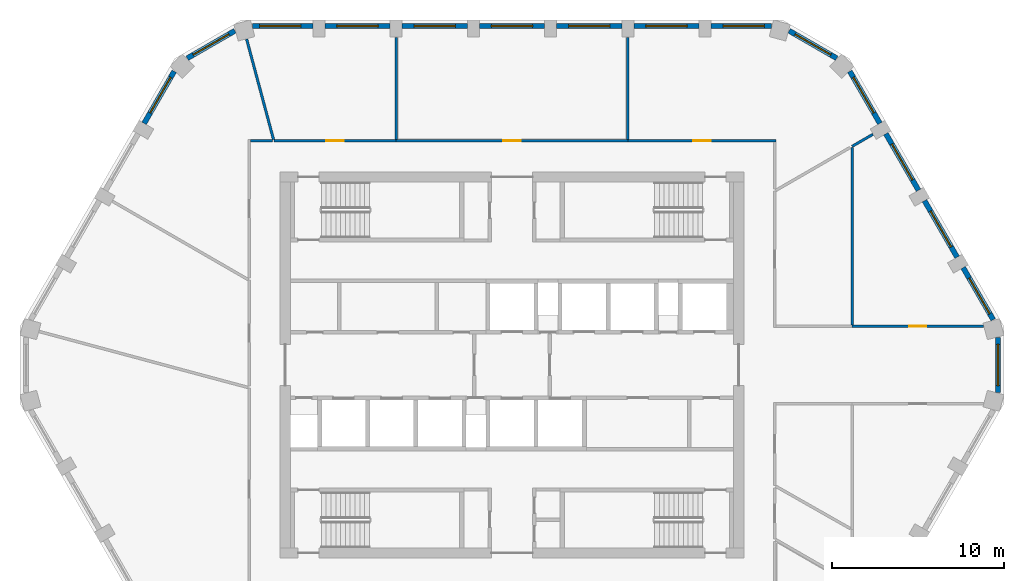
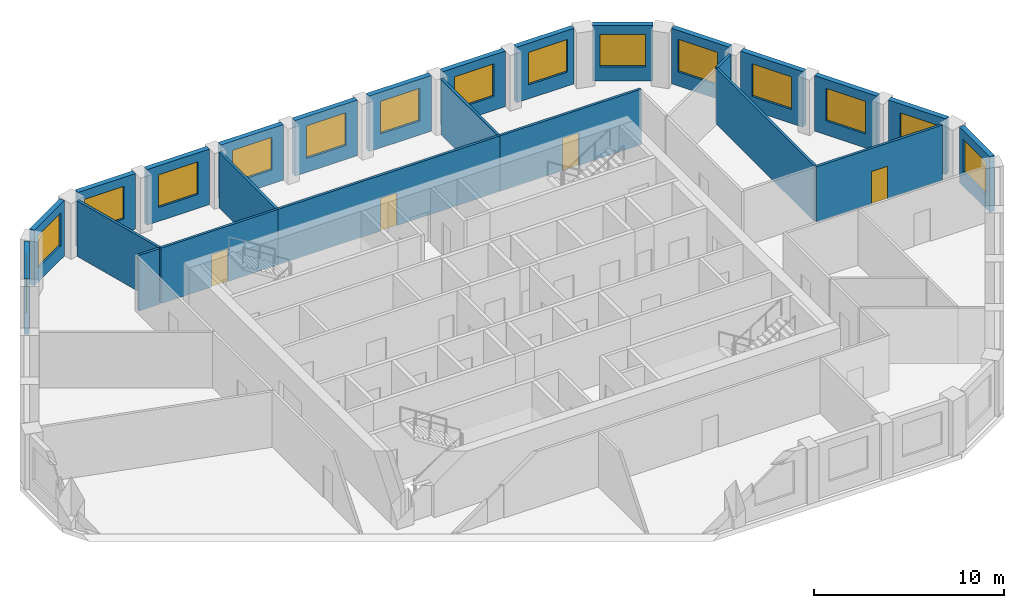
# One storey, part 6 of 10: 25 walls, 15 windows, 4 doors, 19 openings.
"""IFC4 building model written with IfcOpenShell, lengths in metres."""

from ifc_helpers import new_model, si_unit, direction, frame, frame_2d, origin, place, context, subcontext, project, spatial, rectangle, extrude, material, layer, layer_set, type_object, element, fill, save


model = new_model("IFC4")

# Units and contexts
model_context = context("Model", 3, precision=1e-05, world=origin(), true_north=direction((0.0, 1.0)))
body_context = subcontext(model_context, "Body", "Model", "MODEL_VIEW")
ifc_project = project(units=[si_unit("LENGTHUNIT", "METRE"), si_unit("AREAUNIT", "SQUARE_METRE"), si_unit("VOLUMEUNIT", "CUBIC_METRE"), si_unit("PLANEANGLEUNIT", "RADIAN"), si_unit("MASSUNIT", "GRAM", prefix="KILO")], contexts=[model_context])

# Site, building, storey
site_placement = place(None, origin())
site = spatial("IfcSite", under=ifc_project, at=site_placement, CompositionType="ELEMENT")
building_placement = place(site_placement, origin())
building = spatial("IfcBuilding", under=site, at=building_placement, Name="Dhurran Vertical Campus", CompositionType="ELEMENT")
storey_placement = place(building_placement, frame((0.0, 0.0, 250.800048828125)))
storey = spatial("IfcBuildingStorey", under=building, at=storey_placement, Name="L62", CompositionType="ELEMENT", Elevation=250.800048828125)

# Wall, opening, window
ifc_material_1 = material(Name="Precast concrete C50/60", Category="concrete")
ifc_layer_1 = layer(ifc_material_1, 0.300048828125)
ifc_layer_set_1 = layer_set([ifc_layer_1], Name="Precast concrete C50/60")
wall_type_1 = type_object("IfcWallType", Name="Precast spandrel wall 300", PredefinedType="SOLIDWALL", material=ifc_layer_set_1)
wall_1_placement = place(storey_placement, frame((28.297119140625, -1.59814453125, 0.0), z_axis=(0.0, 0.0, 1.0), x_axis=(0.0, 1.0, 0.0)))
wall_1 = element("IfcWall", 1, at=wall_1_placement, inside=storey, type_object=wall_type_1, Name="EW1 L62.12", PredefinedType="SOLIDWALL", context=body_context, shape_type="SweptSolid", body=[
    extrude(rectangle(XDim=3.1962890625, YDim=0.300048828125, at=frame_2d((1.59814453125, 0.0))), origin(), (0.0, 0.0, 1.0), 3.574951171875),
])
opening_1_placement = place(wall_1_placement, frame((0.398193359375, 0.0, 0.89990234375)))
opening_1 = element("IfcOpeningElement", 2, at=opening_1_placement, cuts=wall_1, Name="Opening WT1", PredefinedType="OPENING", context=body_context, shape_type="SweptSolid", body=[
    extrude(rectangle(XDim=2.39990234375, YDim=2.10009765625, at=frame_2d((1.199951171875, 1.050048828125))), frame((0.0, 0.159912109375, 0.0), z_axis=(0.0, -1.0, 0.0), x_axis=(1.0, 0.0, 0.0)), (0.0, 0.0, 1.0), 0.320068359375),
])
ifc_material_2 = material(Name="Aluminium frame with solar-control glass", Category="aluminium")
window_type = type_object("IfcWindowType", Name="Punched window 2400 x 2100", PartitioningType="SINGLE_PANEL", PredefinedType="WINDOW", material=ifc_material_2)
window_1_placement = place(opening_1_placement, origin())
window_1 = element("IfcWindow", 3, at=window_1_placement, inside=storey, type_object=window_type, Name="WT1 L62.12", OverallHeight=2.10009765625, OverallWidth=2.39990234375, PartitioningType="SINGLE_PANEL", PredefinedType="WINDOW", context=body_context, shape_type="SweptSolid", body=[
    extrude(rectangle(XDim=2.39990234375, YDim=2.10009765625, at=frame_2d((1.199951171875, 1.050048828125))), frame((0.0, 0.030029296875, 0.0), z_axis=(0.0, -1.0, 0.0), x_axis=(1.0, 0.0, 0.0)), (0.0, 0.0, 1.0), 0.06005859375),
])
fill(opening_1, window_1)

wall_2_placement = place(storey_placement, frame((28.01806640625, 2.6396484375, 0.0), z_axis=(0.0, 0.0, 1.0), x_axis=(-0.499990325971, 0.866030989016, 0.0)))
wall_2 = element("IfcWall", 4, at=wall_2_placement, inside=storey, type_object=wall_type_1, Name="EW1 L62.13", PredefinedType="SOLIDWALL", context=body_context, shape_type="SweptSolid", body=[
    extrude(rectangle(XDim=3.49755859375, YDim=0.300048828125, at=frame_2d((1.748779296875, 0.0))), origin(), (0.0, 0.0, 1.0), 3.574951171875),
])
opening_2_placement = place(wall_2_placement, frame((0.398193359375, 0.0, 0.89990234375)))
opening_2 = element("IfcOpeningElement", 5, at=opening_2_placement, cuts=wall_2, Name="Opening WT1", PredefinedType="OPENING", context=body_context, shape_type="SweptSolid", body=[
    extrude(rectangle(XDim=2.39990234375, YDim=2.10009765625, at=frame_2d((1.199951171875, 1.050048828125))), frame((0.0, 0.159912109375, 0.0), z_axis=(0.0, -1.0, 0.0), x_axis=(1.0, 0.0, 0.0)), (0.0, 0.0, 1.0), 0.320068359375),
])
window_2_placement = place(opening_2_placement, origin())
window_2 = element("IfcWindow", 6, at=window_2_placement, inside=storey, type_object=window_type, Name="WT1 L62.13", OverallHeight=2.10009765625, OverallWidth=2.39990234375, PartitioningType="SINGLE_PANEL", PredefinedType="WINDOW", context=body_context, shape_type="SweptSolid", body=[
    extrude(rectangle(XDim=2.39990234375, YDim=2.10009765625, at=frame_2d((1.199951171875, 1.050048828125))), frame((0.0, 0.030029296875, 0.0), z_axis=(0.0, -1.0, 0.0), x_axis=(1.0, 0.0, 0.0)), (0.0, 0.0, 1.0), 0.06005859375),
])
fill(opening_2, window_2)

wall_3_placement = place(storey_placement, frame((25.918701171875, 6.275634765625, 0.0), z_axis=(0.0, 0.0, 1.0), x_axis=(-0.499982058975, 0.866035761792, 0.0)))
wall_3 = element("IfcWall", 7, at=wall_3_placement, inside=storey, type_object=wall_type_1, Name="EW1 L62.14", PredefinedType="SOLIDWALL", context=body_context, shape_type="SweptSolid", body=[
    extrude(rectangle(XDim=3.799072265625, YDim=0.300048828125, at=frame_2d((1.8994140625, 0.0))), origin(), (0.0, 0.0, 1.0), 3.574951171875),
])
opening_3_placement = place(wall_3_placement, frame((0.699462890625, 0.0, 0.89990234375)))
opening_3 = element("IfcOpeningElement", 8, at=opening_3_placement, cuts=wall_3, Name="Opening WT1", PredefinedType="OPENING", context=body_context, shape_type="SweptSolid", body=[
    extrude(rectangle(XDim=2.39990234375, YDim=2.10009765625, at=frame_2d((1.199951171875, 1.050048828125))), frame((0.0, 0.159912109375, 0.0), z_axis=(0.0, -1.0, 0.0), x_axis=(1.0, 0.0, 0.0)), (0.0, 0.0, 1.0), 0.320068359375),
])
window_3_placement = place(opening_3_placement, origin())
window_3 = element("IfcWindow", 9, at=window_3_placement, inside=storey, type_object=window_type, Name="WT1 L62.14", OverallHeight=2.10009765625, OverallWidth=2.39990234375, PartitioningType="SINGLE_PANEL", PredefinedType="WINDOW", context=body_context, shape_type="SweptSolid", body=[
    extrude(rectangle(XDim=2.39990234375, YDim=2.10009765625, at=frame_2d((1.199951171875, 1.050048828125))), frame((0.0, 0.030029296875, 0.0), z_axis=(0.0, -1.0, 0.0), x_axis=(1.0, 0.0, 0.0)), (0.0, 0.0, 1.0), 0.06005859375),
])
fill(opening_3, window_3)

wall_4_placement = place(storey_placement, frame((23.668701171875, 10.1728515625, 0.0), z_axis=(0.0, 0.0, 1.0), x_axis=(-0.499982058975, 0.866035761792, 0.0)))
wall_4 = element("IfcWall", 10, at=wall_4_placement, inside=storey, type_object=wall_type_1, Name="EW1 L62.15", PredefinedType="SOLIDWALL", context=body_context, shape_type="SweptSolid", body=[
    extrude(rectangle(XDim=3.799072265625, YDim=0.300048828125, at=frame_2d((1.8994140625, 0.0))), origin(), (0.0, 0.0, 1.0), 3.574951171875),
])
opening_4_placement = place(wall_4_placement, frame((0.699462890625, 0.0, 0.89990234375)))
opening_4 = element("IfcOpeningElement", 11, at=opening_4_placement, cuts=wall_4, Name="Opening WT1", PredefinedType="OPENING", context=body_context, shape_type="SweptSolid", body=[
    extrude(rectangle(XDim=2.39990234375, YDim=2.10009765625, at=frame_2d((1.199951171875, 1.050048828125))), frame((0.0, 0.159912109375, 0.0), z_axis=(0.0, -1.0, 0.0), x_axis=(1.0, 0.0, 0.0)), (0.0, 0.0, 1.0), 0.320068359375),
])
window_4_placement = place(opening_4_placement, origin())
window_4 = element("IfcWindow", 12, at=window_4_placement, inside=storey, type_object=window_type, Name="WT1 L62.15", OverallHeight=2.10009765625, OverallWidth=2.39990234375, PartitioningType="SINGLE_PANEL", PredefinedType="WINDOW", context=body_context, shape_type="SweptSolid", body=[
    extrude(rectangle(XDim=2.39990234375, YDim=2.10009765625, at=frame_2d((1.199951171875, 1.050048828125))), frame((0.0, 0.030029296875, 0.0), z_axis=(0.0, -1.0, 0.0), x_axis=(1.0, 0.0, 0.0)), (0.0, 0.0, 1.0), 0.06005859375),
])
fill(opening_4, window_4)

wall_5_placement = place(storey_placement, frame((21.418701171875, 14.06982421875, 0.0), z_axis=(0.0, 0.0, 1.0), x_axis=(-0.499960102815, 0.866048437209, 0.0)))
wall_5 = element("IfcWall", 13, at=wall_5_placement, inside=storey, type_object=wall_type_1, Name="EW1 L62.16", PredefinedType="SOLIDWALL", context=body_context, shape_type="SweptSolid", body=[
    extrude(rectangle(XDim=3.497802734375, YDim=0.300048828125, at=frame_2d((1.7490234375, 0.0))), origin(), (0.0, 0.0, 1.0), 3.574951171875),
])
opening_5_placement = place(wall_5_placement, frame((0.699462890625, 0.0, 0.89990234375)))
opening_5 = element("IfcOpeningElement", 14, at=opening_5_placement, cuts=wall_5, Name="Opening WT1", PredefinedType="OPENING", context=body_context, shape_type="SweptSolid", body=[
    extrude(rectangle(XDim=2.39990234375, YDim=2.10009765625, at=frame_2d((1.199951171875, 1.050048828125))), frame((0.0, 0.159912109375, 0.0), z_axis=(0.0, -1.0, 0.0), x_axis=(1.0, 0.0, 0.0)), (0.0, 0.0, 1.0), 0.320068359375),
])
window_5_placement = place(opening_5_placement, origin())
window_5 = element("IfcWindow", 15, at=window_5_placement, inside=storey, type_object=window_type, Name="WT1 L62.16", OverallHeight=2.10009765625, OverallWidth=2.39990234375, PartitioningType="SINGLE_PANEL", PredefinedType="WINDOW", context=body_context, shape_type="SweptSolid", body=[
    extrude(rectangle(XDim=2.39990234375, YDim=2.10009765625, at=frame_2d((1.199951171875, 1.050048828125))), frame((0.0, 0.030029296875, 0.0), z_axis=(0.0, -1.0, 0.0), x_axis=(1.0, 0.0, 0.0)), (0.0, 0.0, 1.0), 0.06005859375),
])
fill(opening_5, window_5)

wall_6_placement = place(storey_placement, frame((18.90771484375, 17.861328125, 0.0), z_axis=(0.0, 0.0, 1.0), x_axis=(-0.866025316205, 0.500000151692, 0.0)))
wall_6 = element("IfcWall", 16, at=wall_6_placement, inside=storey, type_object=wall_type_1, Name="EW1 L62.17", PredefinedType="SOLIDWALL", context=body_context, shape_type="SweptSolid", body=[
    extrude(rectangle(XDim=3.1962890625, YDim=0.300048828125, at=frame_2d((1.59814453125, 0.0))), origin(), (0.0, 0.0, 1.0), 3.574951171875),
])
opening_6_placement = place(wall_6_placement, frame((0.398193359375, 0.0, 0.89990234375)))
opening_6 = element("IfcOpeningElement", 17, at=opening_6_placement, cuts=wall_6, Name="Opening WT1", PredefinedType="OPENING", context=body_context, shape_type="SweptSolid", body=[
    extrude(rectangle(XDim=2.39990234375, YDim=2.10009765625, at=frame_2d((1.199951171875, 1.050048828125))), frame((0.0, 0.159912109375, 0.0), z_axis=(0.0, -1.0, 0.0), x_axis=(1.0, 0.0, 0.0)), (0.0, 0.0, 1.0), 0.320068359375),
])
window_6_placement = place(opening_6_placement, origin())
window_6 = element("IfcWindow", 18, at=window_6_placement, inside=storey, type_object=window_type, Name="WT1 L62.17", OverallHeight=2.10009765625, OverallWidth=2.39990234375, PartitioningType="SINGLE_PANEL", PredefinedType="WINDOW", context=body_context, shape_type="SweptSolid", body=[
    extrude(rectangle(XDim=2.39990234375, YDim=2.10009765625, at=frame_2d((1.199951171875, 1.050048828125))), frame((0.0, 0.030029296875, 0.0), z_axis=(0.0, -1.0, 0.0), x_axis=(1.0, 0.0, 0.0)), (0.0, 0.0, 1.0), 0.06005859375),
])
fill(opening_6, window_6)

wall_7_placement = place(storey_placement, frame((15.09814453125, 19.738525390625, 0.0), z_axis=(0.0, 0.0, 1.0), x_axis=(-1.0, 0.0, 0.0)))
wall_7 = element("IfcWall", 19, at=wall_7_placement, inside=storey, type_object=wall_type_1, Name="EW1 L62.18", PredefinedType="SOLIDWALL", context=body_context, shape_type="SweptSolid", body=[
    extrude(rectangle(XDim=3.49755859375, YDim=0.300048828125, at=frame_2d((1.748779296875, 0.0))), origin(), (0.0, 0.0, 1.0), 3.574951171875),
])
opening_7_placement = place(wall_7_placement, frame((0.398193359375, 0.0, 0.89990234375)))
opening_7 = element("IfcOpeningElement", 20, at=opening_7_placement, cuts=wall_7, Name="Opening WT1", PredefinedType="OPENING", context=body_context, shape_type="SweptSolid", body=[
    extrude(rectangle(XDim=2.39990234375, YDim=2.10009765625, at=frame_2d((1.199951171875, 1.050048828125))), frame((0.0, 0.159912109375, 0.0), z_axis=(0.0, -1.0, 0.0), x_axis=(1.0, 0.0, 0.0)), (0.0, 0.0, 1.0), 0.320068359375),
])
window_7_placement = place(opening_7_placement, origin())
window_7 = element("IfcWindow", 21, at=window_7_placement, inside=storey, type_object=window_type, Name="WT1 L62.18", OverallHeight=2.10009765625, OverallWidth=2.39990234375, PartitioningType="SINGLE_PANEL", PredefinedType="WINDOW", context=body_context, shape_type="SweptSolid", body=[
    extrude(rectangle(XDim=2.39990234375, YDim=2.10009765625, at=frame_2d((1.199951171875, 1.050048828125))), frame((0.0, 0.030029296875, 0.0), z_axis=(0.0, -1.0, 0.0), x_axis=(1.0, 0.0, 0.0)), (0.0, 0.0, 1.0), 0.06005859375),
])
fill(opening_7, window_7)

wall_8_placement = place(storey_placement, frame((10.8994140625, 19.738525390625, 0.0), z_axis=(0.0, 0.0, 1.0), x_axis=(-1.0, 0.0, 0.0)))
wall_8 = element("IfcWall", 22, at=wall_8_placement, inside=storey, type_object=wall_type_1, Name="EW1 L62.19", PredefinedType="SOLIDWALL", context=body_context, shape_type="SweptSolid", body=[
    extrude(rectangle(XDim=3.798828125, YDim=0.300048828125, at=frame_2d((1.8994140625, 0.0))), origin(), (0.0, 0.0, 1.0), 3.574951171875),
])
opening_8_placement = place(wall_8_placement, frame((0.699462890625, 0.0, 0.89990234375)))
opening_8 = element("IfcOpeningElement", 23, at=opening_8_placement, cuts=wall_8, Name="Opening WT1", PredefinedType="OPENING", context=body_context, shape_type="SweptSolid", body=[
    extrude(rectangle(XDim=2.39990234375, YDim=2.10009765625, at=frame_2d((1.199951171875, 1.050048828125))), frame((0.0, 0.159912109375, 0.0), z_axis=(0.0, -1.0, 0.0), x_axis=(1.0, 0.0, 0.0)), (0.0, 0.0, 1.0), 0.320068359375),
])
window_8_placement = place(opening_8_placement, origin())
window_8 = element("IfcWindow", 24, at=window_8_placement, inside=storey, type_object=window_type, Name="WT1 L62.19", OverallHeight=2.10009765625, OverallWidth=2.39990234375, PartitioningType="SINGLE_PANEL", PredefinedType="WINDOW", context=body_context, shape_type="SweptSolid", body=[
    extrude(rectangle(XDim=2.39990234375, YDim=2.10009765625, at=frame_2d((1.199951171875, 1.050048828125))), frame((0.0, 0.030029296875, 0.0), z_axis=(0.0, -1.0, 0.0), x_axis=(1.0, 0.0, 0.0)), (0.0, 0.0, 1.0), 0.06005859375),
])
fill(opening_8, window_8)

wall_9_placement = place(storey_placement, frame((6.3994140625, 19.738525390625, 0.0), z_axis=(0.0, 0.0, 1.0), x_axis=(-1.0, 0.0, 0.0)))
wall_9 = element("IfcWall", 25, at=wall_9_placement, inside=storey, type_object=wall_type_1, Name="EW1 L62.20", PredefinedType="SOLIDWALL", context=body_context, shape_type="SweptSolid", body=[
    extrude(rectangle(XDim=3.798828125, YDim=0.300048828125, at=frame_2d((1.8994140625, 0.0))), origin(), (0.0, 0.0, 1.0), 3.574951171875),
])
opening_9_placement = place(wall_9_placement, frame((0.699462890625, 0.0, 0.89990234375)))
opening_9 = element("IfcOpeningElement", 26, at=opening_9_placement, cuts=wall_9, Name="Opening WT1", PredefinedType="OPENING", context=body_context, shape_type="SweptSolid", body=[
    extrude(rectangle(XDim=2.39990234375, YDim=2.10009765625, at=frame_2d((1.199951171875, 1.050048828125))), frame((0.0, 0.159912109375, 0.0), z_axis=(0.0, -1.0, 0.0), x_axis=(1.0, 0.0, 0.0)), (0.0, 0.0, 1.0), 0.320068359375),
])
window_9_placement = place(opening_9_placement, origin())
window_9 = element("IfcWindow", 27, at=window_9_placement, inside=storey, type_object=window_type, Name="WT1 L62.20", OverallHeight=2.10009765625, OverallWidth=2.39990234375, PartitioningType="SINGLE_PANEL", PredefinedType="WINDOW", context=body_context, shape_type="SweptSolid", body=[
    extrude(rectangle(XDim=2.39990234375, YDim=2.10009765625, at=frame_2d((1.199951171875, 1.050048828125))), frame((0.0, 0.030029296875, 0.0), z_axis=(0.0, -1.0, 0.0), x_axis=(1.0, 0.0, 0.0)), (0.0, 0.0, 1.0), 0.06005859375),
])
fill(opening_9, window_9)

wall_10_placement = place(storey_placement, frame((1.8994140625, 19.738525390625, 0.0), z_axis=(0.0, 0.0, 1.0), x_axis=(-1.0, 0.0, 0.0)))
wall_10 = element("IfcWall", 28, at=wall_10_placement, inside=storey, type_object=wall_type_1, Name="EW1 L62.21", PredefinedType="SOLIDWALL", context=body_context, shape_type="SweptSolid", body=[
    extrude(rectangle(XDim=3.798828125, YDim=0.300048828125, at=frame_2d((1.8994140625, 0.0))), origin(), (0.0, 0.0, 1.0), 3.574951171875),
])
opening_10_placement = place(wall_10_placement, frame((0.699462890625, 0.0, 0.89990234375)))
opening_10 = element("IfcOpeningElement", 29, at=opening_10_placement, cuts=wall_10, Name="Opening WT1", PredefinedType="OPENING", context=body_context, shape_type="SweptSolid", body=[
    extrude(rectangle(XDim=2.39990234375, YDim=2.10009765625, at=frame_2d((1.199951171875, 1.050048828125))), frame((0.0, 0.159912109375, 0.0), z_axis=(0.0, -1.0, 0.0), x_axis=(1.0, 0.0, 0.0)), (0.0, 0.0, 1.0), 0.320068359375),
])
window_10_placement = place(opening_10_placement, origin())
window_10 = element("IfcWindow", 30, at=window_10_placement, inside=storey, type_object=window_type, Name="WT1 L62.21", OverallHeight=2.10009765625, OverallWidth=2.39990234375, PartitioningType="SINGLE_PANEL", PredefinedType="WINDOW", context=body_context, shape_type="SweptSolid", body=[
    extrude(rectangle(XDim=2.39990234375, YDim=2.10009765625, at=frame_2d((1.199951171875, 1.050048828125))), frame((0.0, 0.030029296875, 0.0), z_axis=(0.0, -1.0, 0.0), x_axis=(1.0, 0.0, 0.0)), (0.0, 0.0, 1.0), 0.06005859375),
])
fill(opening_10, window_10)

wall_11_placement = place(storey_placement, frame((-2.6005859375, 19.738525390625, 0.0), z_axis=(0.0, 0.0, 1.0), x_axis=(-1.0, 0.0, 0.0)))
wall_11 = element("IfcWall", 31, at=wall_11_placement, inside=storey, type_object=wall_type_1, Name="EW1 L62.22", PredefinedType="SOLIDWALL", context=body_context, shape_type="SweptSolid", body=[
    extrude(rectangle(XDim=3.798828125, YDim=0.300048828125, at=frame_2d((1.8994140625, 0.0))), origin(), (0.0, 0.0, 1.0), 3.574951171875),
])
opening_11_placement = place(wall_11_placement, frame((0.699462890625, 0.0, 0.89990234375)))
opening_11 = element("IfcOpeningElement", 32, at=opening_11_placement, cuts=wall_11, Name="Opening WT1", PredefinedType="OPENING", context=body_context, shape_type="SweptSolid", body=[
    extrude(rectangle(XDim=2.39990234375, YDim=2.10009765625, at=frame_2d((1.199951171875, 1.050048828125))), frame((0.0, 0.159912109375, 0.0), z_axis=(0.0, -1.0, 0.0), x_axis=(1.0, 0.0, 0.0)), (0.0, 0.0, 1.0), 0.320068359375),
])
window_11_placement = place(opening_11_placement, origin())
window_11 = element("IfcWindow", 33, at=window_11_placement, inside=storey, type_object=window_type, Name="WT1 L62.22", OverallHeight=2.10009765625, OverallWidth=2.39990234375, PartitioningType="SINGLE_PANEL", PredefinedType="WINDOW", context=body_context, shape_type="SweptSolid", body=[
    extrude(rectangle(XDim=2.39990234375, YDim=2.10009765625, at=frame_2d((1.199951171875, 1.050048828125))), frame((0.0, 0.030029296875, 0.0), z_axis=(0.0, -1.0, 0.0), x_axis=(1.0, 0.0, 0.0)), (0.0, 0.0, 1.0), 0.06005859375),
])
fill(opening_11, window_11)

wall_12_placement = place(storey_placement, frame((-7.1005859375, 19.738525390625, 0.0), z_axis=(0.0, 0.0, 1.0), x_axis=(-1.0, 0.0, 0.0)))
wall_12 = element("IfcWall", 34, at=wall_12_placement, inside=storey, type_object=wall_type_1, Name="EW1 L62.23", PredefinedType="SOLIDWALL", context=body_context, shape_type="SweptSolid", body=[
    extrude(rectangle(XDim=3.798828125, YDim=0.300048828125, at=frame_2d((1.8994140625, 0.0))), origin(), (0.0, 0.0, 1.0), 3.574951171875),
])
opening_12_placement = place(wall_12_placement, frame((0.699462890625, 0.0, 0.89990234375)))
opening_12 = element("IfcOpeningElement", 35, at=opening_12_placement, cuts=wall_12, Name="Opening WT1", PredefinedType="OPENING", context=body_context, shape_type="SweptSolid", body=[
    extrude(rectangle(XDim=2.39990234375, YDim=2.10009765625, at=frame_2d((1.199951171875, 1.050048828125))), frame((0.0, 0.159912109375, 0.0), z_axis=(0.0, -1.0, 0.0), x_axis=(1.0, 0.0, 0.0)), (0.0, 0.0, 1.0), 0.320068359375),
])
window_12_placement = place(opening_12_placement, origin())
window_12 = element("IfcWindow", 36, at=window_12_placement, inside=storey, type_object=window_type, Name="WT1 L62.23", OverallHeight=2.10009765625, OverallWidth=2.39990234375, PartitioningType="SINGLE_PANEL", PredefinedType="WINDOW", context=body_context, shape_type="SweptSolid", body=[
    extrude(rectangle(XDim=2.39990234375, YDim=2.10009765625, at=frame_2d((1.199951171875, 1.050048828125))), frame((0.0, 0.030029296875, 0.0), z_axis=(0.0, -1.0, 0.0), x_axis=(1.0, 0.0, 0.0)), (0.0, 0.0, 1.0), 0.06005859375),
])
fill(opening_12, window_12)

wall_13_placement = place(storey_placement, frame((-11.6005859375, 19.738525390625, 0.0), z_axis=(0.0, 0.0, 1.0), x_axis=(-1.0, 0.0, 0.0)))
wall_13 = element("IfcWall", 37, at=wall_13_placement, inside=storey, type_object=wall_type_1, Name="EW1 L62.24", PredefinedType="SOLIDWALL", context=body_context, shape_type="SweptSolid", body=[
    extrude(rectangle(XDim=3.49755859375, YDim=0.300048828125, at=frame_2d((1.748779296875, 0.0))), origin(), (0.0, 0.0, 1.0), 3.574951171875),
])
opening_13_placement = place(wall_13_placement, frame((0.699462890625, 0.0, 0.89990234375)))
opening_13 = element("IfcOpeningElement", 38, at=opening_13_placement, cuts=wall_13, Name="Opening WT1", PredefinedType="OPENING", context=body_context, shape_type="SweptSolid", body=[
    extrude(rectangle(XDim=2.39990234375, YDim=2.10009765625, at=frame_2d((1.199951171875, 1.050048828125))), frame((0.0, 0.159912109375, 0.0), z_axis=(0.0, -1.0, 0.0), x_axis=(1.0, 0.0, 0.0)), (0.0, 0.0, 1.0), 0.320068359375),
])
window_13_placement = place(opening_13_placement, origin())
window_13 = element("IfcWindow", 39, at=window_13_placement, inside=storey, type_object=window_type, Name="WT1 L62.24", OverallHeight=2.10009765625, OverallWidth=2.39990234375, PartitioningType="SINGLE_PANEL", PredefinedType="WINDOW", context=body_context, shape_type="SweptSolid", body=[
    extrude(rectangle(XDim=2.39990234375, YDim=2.10009765625, at=frame_2d((1.199951171875, 1.050048828125))), frame((0.0, 0.030029296875, 0.0), z_axis=(0.0, -1.0, 0.0), x_axis=(1.0, 0.0, 0.0)), (0.0, 0.0, 1.0), 0.06005859375),
])
fill(opening_13, window_13)

wall_14_placement = place(storey_placement, frame((-16.1396484375, 19.45947265625, 0.0), z_axis=(0.0, 0.0, 1.0), x_axis=(-0.866025316205, -0.500000151692, 0.0)))
wall_14 = element("IfcWall", 40, at=wall_14_placement, inside=storey, type_object=wall_type_1, Name="EW1 L62.25", PredefinedType="SOLIDWALL", context=body_context, shape_type="SweptSolid", body=[
    extrude(rectangle(XDim=3.1962890625, YDim=0.300048828125, at=frame_2d((1.59814453125, 0.0))), origin(), (0.0, 0.0, 1.0), 3.574951171875),
])
opening_14_placement = place(wall_14_placement, frame((0.398193359375, 0.0, 0.89990234375)))
opening_14 = element("IfcOpeningElement", 41, at=opening_14_placement, cuts=wall_14, Name="Opening WT1", PredefinedType="OPENING", context=body_context, shape_type="SweptSolid", body=[
    extrude(rectangle(XDim=2.39990234375, YDim=2.10009765625, at=frame_2d((1.199951171875, 1.050048828125))), frame((0.0, 0.159912109375, 0.0), z_axis=(0.0, -1.0, 0.0), x_axis=(1.0, 0.0, 0.0)), (0.0, 0.0, 1.0), 0.320068359375),
])
window_14_placement = place(opening_14_placement, origin())
window_14 = element("IfcWindow", 42, at=window_14_placement, inside=storey, type_object=window_type, Name="WT1 L62.25", OverallHeight=2.10009765625, OverallWidth=2.39990234375, PartitioningType="SINGLE_PANEL", PredefinedType="WINDOW", context=body_context, shape_type="SweptSolid", body=[
    extrude(rectangle(XDim=2.39990234375, YDim=2.10009765625, at=frame_2d((1.199951171875, 1.050048828125))), frame((0.0, 0.030029296875, 0.0), z_axis=(0.0, -1.0, 0.0), x_axis=(1.0, 0.0, 0.0)), (0.0, 0.0, 1.0), 0.06005859375),
])
fill(opening_14, window_14)

wall_15_placement = place(storey_placement, frame((-19.669921875, 17.09912109375, 0.0), z_axis=(0.0, 0.0, 1.0), x_axis=(-0.499960102815, -0.866048437209, 0.0)))
wall_15 = element("IfcWall", 43, at=wall_15_placement, inside=storey, type_object=wall_type_1, Name="EW1 L62.26", PredefinedType="SOLIDWALL", context=body_context, shape_type="SweptSolid", body=[
    extrude(rectangle(XDim=3.497802734375, YDim=0.300048828125, at=frame_2d((1.7490234375, 0.0))), origin(), (0.0, 0.0, 1.0), 3.574951171875),
])
opening_15_placement = place(wall_15_placement, frame((0.398193359375, 0.0, 0.89990234375)))
opening_15 = element("IfcOpeningElement", 44, at=opening_15_placement, cuts=wall_15, Name="Opening WT1", PredefinedType="OPENING", context=body_context, shape_type="SweptSolid", body=[
    extrude(rectangle(XDim=2.39990234375, YDim=2.10009765625, at=frame_2d((1.199951171875, 1.050048828125))), frame((0.0, 0.159912109375, 0.0), z_axis=(0.0, -1.0, 0.0), x_axis=(1.0, 0.0, 0.0)), (0.0, 0.0, 1.0), 0.320068359375),
])
window_15_placement = place(opening_15_placement, origin())
window_15 = element("IfcWindow", 45, at=window_15_placement, inside=storey, type_object=window_type, Name="WT1 L62.26", OverallHeight=2.10009765625, OverallWidth=2.39990234375, PartitioningType="SINGLE_PANEL", PredefinedType="WINDOW", context=body_context, shape_type="SweptSolid", body=[
    extrude(rectangle(XDim=2.39990234375, YDim=2.10009765625, at=frame_2d((1.199951171875, 1.050048828125))), frame((0.0, 0.030029296875, 0.0), z_axis=(0.0, -1.0, 0.0), x_axis=(1.0, 0.0, 0.0)), (0.0, 0.0, 1.0), 0.06005859375),
])
fill(opening_15, window_15)

# Wall
ifc_material_3 = material(Name="Gypsum board corridor wall on steel studs", Category="steel")
ifc_layer_2 = layer(ifc_material_3, 0.14990234375)
ifc_layer_set_2 = layer_set([ifc_layer_2], Name="Gypsum board corridor wall on steel studs")
wall_type_2 = type_object("IfcWallType", Name="fl-CW-150 corridor wall", PredefinedType="PARTITIONING", material=ifc_layer_set_2)
wall_16_placement = place(storey_placement, frame((-13.958984375, 13.050048828125, 0.0), z_axis=(0.0, 0.0, 1.0), x_axis=(-1.0, 0.0, 0.0)))
element("IfcWall", 46, at=wall_16_placement, inside=storey, type_object=wall_type_2, Name="Partition 62-09", PredefinedType="PARTITIONING", context=body_context, shape_type="SweptSolid", body=[
    extrude(rectangle(XDim=1.26611328125, YDim=0.14990234375, at=frame_2d((0.633056640625, 0.0))), origin(), (0.0, 0.0, 1.0), 3.574951171875),
])

# Wall, opening, door
wall_17_placement = place(storey_placement, frame((-6.75, 13.050048828125, 0.0), z_axis=(0.0, 0.0, 1.0), x_axis=(-1.0, 0.0, 0.0)))
wall_17 = element("IfcWall", 47, at=wall_17_placement, inside=storey, type_object=wall_type_2, Name="Partition 62-11", PredefinedType="PARTITIONING", context=body_context, shape_type="SweptSolid", body=[
    extrude(rectangle(XDim=7.114013671875, YDim=0.14990234375, at=frame_2d((3.55712890625, 0.0))), origin(), (0.0, 0.0, 1.0), 3.574951171875),
])
opening_16_placement = place(wall_17_placement, frame((3.056884765625, 0.0, 0.0)))
opening_16 = element("IfcOpeningElement", 48, at=opening_16_placement, cuts=wall_17, Name="Opening T18.04", PredefinedType="OPENING", context=body_context, shape_type="SweptSolid", body=[
    extrude(rectangle(XDim=1.0, YDim=2.10009765625, at=frame_2d((0.5, 1.050048828125))), frame((0.0, 0.0849609375, 0.0), z_axis=(0.0, -1.0, 0.0), x_axis=(1.0, 0.0, 0.0)), (0.0, 0.0, 1.0), 0.169921875),
])
ifc_material_4 = material(Name="Solid-core timber door set, fire-rated", Category="wood")
door_type = type_object("IfcDoorType", Name="fl-D-1000x2100", OperationType="SINGLE_SWING_LEFT", PredefinedType="DOOR", material=ifc_material_4)
door_1_placement = place(opening_16_placement, origin())
door_1 = element("IfcDoor", 49, at=door_1_placement, inside=storey, type_object=door_type, Name="Door 62.04", OperationType="SINGLE_SWING_RIGHT", OverallHeight=2.10009765625, OverallWidth=1.0, PredefinedType="DOOR", context=body_context, shape_type="SweptSolid", body=[
    extrude(rectangle(XDim=1.0, YDim=2.10009765625, at=frame_2d((0.5, 1.050048828125))), frame((0.0, 0.02490234375, 0.0), z_axis=(0.0, -1.0, 0.0), x_axis=(1.0, 0.0, 0.0)), (0.0, 0.0, 1.0), 0.050048828125),
])
fill(opening_16, door_1)

wall_18_placement = place(storey_placement, frame((6.75, 13.050048828125, 0.0), z_axis=(0.0, 0.0, 1.0), x_axis=(-1.0, 0.0, 0.0)))
wall_18 = element("IfcWall", 50, at=wall_18_placement, inside=storey, type_object=wall_type_2, Name="Partition 62-13", PredefinedType="PARTITIONING", context=body_context, shape_type="SweptSolid", body=[
    extrude(rectangle(XDim=13.5, YDim=0.14990234375, at=frame_2d((6.75, 0.0))), origin(), (0.0, 0.0, 1.0), 3.574951171875),
])
opening_17_placement = place(wall_18_placement, frame((6.25, 0.0, 0.0)))
opening_17 = element("IfcOpeningElement", 51, at=opening_17_placement, cuts=wall_18, Name="Opening T18.06", PredefinedType="OPENING", context=body_context, shape_type="SweptSolid", body=[
    extrude(rectangle(XDim=1.0, YDim=2.10009765625, at=frame_2d((0.5, 1.050048828125))), frame((0.0, 0.0849609375, 0.0), z_axis=(0.0, -1.0, 0.0), x_axis=(1.0, 0.0, 0.0)), (0.0, 0.0, 1.0), 0.169921875),
])
door_2_placement = place(opening_17_placement, origin())
door_2 = element("IfcDoor", 52, at=door_2_placement, inside=storey, type_object=door_type, Name="Door 62.06", OperationType="SINGLE_SWING_LEFT", OverallHeight=2.10009765625, OverallWidth=1.0, PredefinedType="DOOR", context=body_context, shape_type="SweptSolid", body=[
    extrude(rectangle(XDim=1.0, YDim=2.10009765625, at=frame_2d((0.5, 1.050048828125))), frame((0.0, 0.02490234375, 0.0), z_axis=(0.0, -1.0, 0.0), x_axis=(1.0, 0.0, 0.0)), (0.0, 0.0, 1.0), 0.050048828125),
])
fill(opening_17, door_2)

wall_19_placement = place(storey_placement, frame((15.375, 13.050048828125, 0.0), z_axis=(0.0, 0.0, 1.0), x_axis=(-1.0, 0.0, 0.0)))
wall_19 = element("IfcWall", 53, at=wall_19_placement, inside=storey, type_object=wall_type_2, Name="Partition 62-17", PredefinedType="PARTITIONING", context=body_context, shape_type="SweptSolid", body=[
    extrude(rectangle(XDim=8.625, YDim=0.14990234375, at=frame_2d((4.3125, 0.0))), origin(), (0.0, 0.0, 1.0), 3.574951171875),
])
opening_18_placement = place(wall_19_placement, frame((3.8125, 0.0, 0.0)))
opening_18 = element("IfcOpeningElement", 54, at=opening_18_placement, cuts=wall_19, Name="Opening T18.08", PredefinedType="OPENING", context=body_context, shape_type="SweptSolid", body=[
    extrude(rectangle(XDim=1.0, YDim=2.10009765625, at=frame_2d((0.5, 1.050048828125))), frame((0.0, 0.0849609375, 0.0), z_axis=(0.0, -1.0, 0.0), x_axis=(1.0, 0.0, 0.0)), (0.0, 0.0, 1.0), 0.169921875),
])
door_3_placement = place(opening_18_placement, origin())
door_3 = element("IfcDoor", 55, at=door_3_placement, inside=storey, type_object=door_type, Name="Door 62.08", OperationType="SINGLE_SWING_LEFT", OverallHeight=2.10009765625, OverallWidth=1.0, PredefinedType="DOOR", context=body_context, shape_type="SweptSolid", body=[
    extrude(rectangle(XDim=1.0, YDim=2.10009765625, at=frame_2d((0.5, 1.050048828125))), frame((0.0, 0.02490234375, 0.0), z_axis=(0.0, -1.0, 0.0), x_axis=(1.0, 0.0, 0.0)), (0.0, 0.0, 1.0), 0.050048828125),
])
fill(opening_18, door_3)

wall_20_placement = place(storey_placement, frame((19.800048828125, 2.25, 0.0), z_axis=(0.0, 0.0, 1.0), x_axis=(1.0, 0.0, 0.0)))
wall_20 = element("IfcWall", 56, at=wall_20_placement, inside=storey, type_object=wall_type_2, Name="Partition 62-35", PredefinedType="PARTITIONING", context=body_context, shape_type="SweptSolid", body=[
    extrude(rectangle(XDim=7.65234375, YDim=0.14990234375, at=frame_2d((3.826171875, 0.0))), origin(), (0.0, 0.0, 1.0), 3.574951171875),
])
opening_19_placement = place(wall_20_placement, frame((3.326171875, 0.0, 0.0)))
opening_19 = element("IfcOpeningElement", 57, at=opening_19_placement, cuts=wall_20, Name="Opening T18.14", PredefinedType="OPENING", context=body_context, shape_type="SweptSolid", body=[
    extrude(rectangle(XDim=1.0, YDim=2.10009765625, at=frame_2d((0.5, 1.050048828125))), frame((0.0, 0.0849609375, 0.0), z_axis=(0.0, -1.0, 0.0), x_axis=(1.0, 0.0, 0.0)), (0.0, 0.0, 1.0), 0.169921875),
])
door_4_placement = place(opening_19_placement, origin())
door_4 = element("IfcDoor", 58, at=door_4_placement, inside=storey, type_object=door_type, Name="Door 62.14", OperationType="SINGLE_SWING_RIGHT", OverallHeight=2.10009765625, OverallWidth=1.0, PredefinedType="DOOR", context=body_context, shape_type="SweptSolid", body=[
    extrude(rectangle(XDim=1.0, YDim=2.10009765625, at=frame_2d((0.5, 1.050048828125))), frame((0.0, 0.02490234375, 0.0), z_axis=(0.0, -1.0, 0.0), x_axis=(1.0, 0.0, 0.0)), (0.0, 0.0, 1.0), 0.050048828125),
])
fill(opening_19, door_4)

# Walls
ifc_material_5 = material(Name="Gypsum board partition on steel studs", Category="steel")
ifc_layer_3 = layer(ifc_material_5, 0.14990234375)
ifc_layer_set_3 = layer_set([ifc_layer_3], Name="Gypsum board partition on steel studs")
wall_type_3 = type_object("IfcWallType", Name="fl-PW-150 fixed partition", PredefinedType="PARTITIONING", material=ifc_layer_set_3)
wall_21_placement = place(storey_placement, frame((-15.45166015625, 18.9736328125, 0.0), z_axis=(0.0, 0.0, 1.0), x_axis=(0.258896568031, -0.965905050749, 0.0)))
element("IfcWall", 59, at=wall_21_placement, inside=storey, type_object=wall_type_3, Name="Partition 62-04", PredefinedType="PARTITIONING", context=body_context, shape_type="SweptSolid", body=[
    extrude(rectangle(XDim=6.057861328125, YDim=0.14990234375, at=frame_2d((3.02880859375, 0.0))), origin(), (0.0, 0.0, 1.0), 3.574951171875),
])
for number, where, z_axis, x_axis, name in (
    (60, (-6.75, 19.068603515625, 0.0), (0.0, 0.0, 1.0), (0.0, -1.0, 0.0), "Partition 62-12"),
    (61, (6.75, 19.068603515625, 0.0), (0.0, 0.0, 1.0), (0.0, -1.0, 0.0), "Partition 62-16"),
):
    element("IfcWall", number, at=place(storey_placement, frame(where, z_axis=z_axis, x_axis=x_axis)), inside=storey, type_object=wall_type_3, Name=name, PredefinedType="PARTITIONING", context=body_context, shape_type="SweptSolid", body=[
        extrude(rectangle(XDim=5.943603515625, YDim=0.14990234375, at=frame_2d((2.9716796875, 0.0))), origin(), (0.0, 0.0, 1.0), 3.574951171875),
    ])
wall_22_placement = place(storey_placement, frame((19.800048828125, 12.655029296875, 0.0), z_axis=(0.0, 0.0, 1.0), x_axis=(0.0, -1.0, 0.0)))
element("IfcWall", 62, at=wall_22_placement, inside=storey, type_object=wall_type_3, Name="Partition 62-34", PredefinedType="PARTITIONING", context=body_context, shape_type="SweptSolid", body=[
    extrude(rectangle(XDim=10.330078125, YDim=0.14990234375, at=frame_2d((5.1650390625, 0.0))), origin(), (0.0, 0.0, 1.0), 3.574951171875),
])
wall_23_placement = place(storey_placement, frame((21.013916015625, 13.43115234375, 0.0), z_axis=(0.0, 0.0, 1.0), x_axis=(-0.865918715181, -0.500184744569, 0.0)))
element("IfcWall", 63, at=wall_23_placement, inside=storey, type_object=wall_type_3, Name="Partition 62-36", PredefinedType="PARTITIONING", context=body_context, shape_type="SweptSolid", body=[
    extrude(rectangle(XDim=1.40185546875, YDim=0.14990234375, at=frame_2d((0.700927734375, 0.0))), origin(), (0.0, 0.0, 1.0), 3.574951171875),
])

save(model, "model.ifc")
